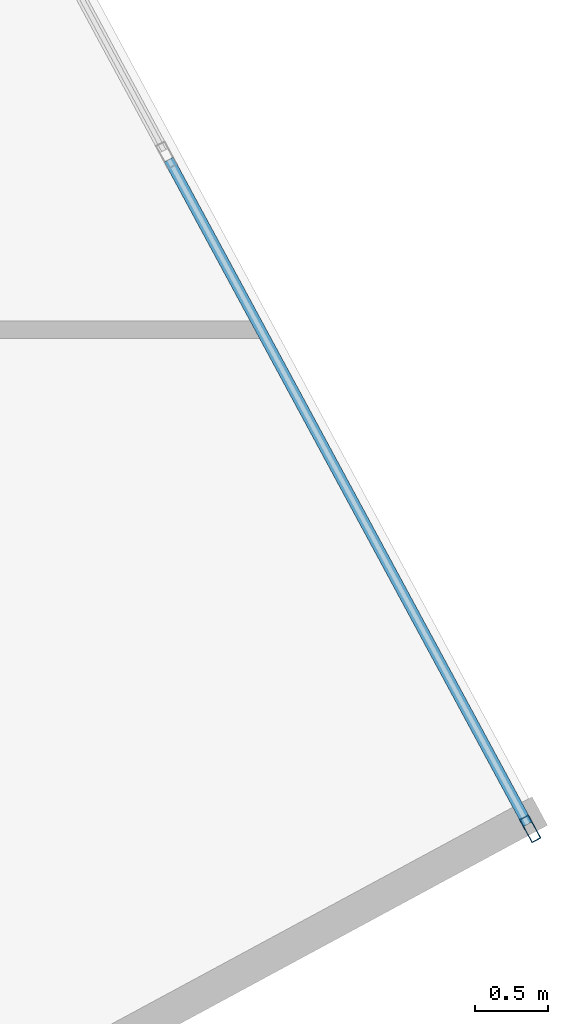
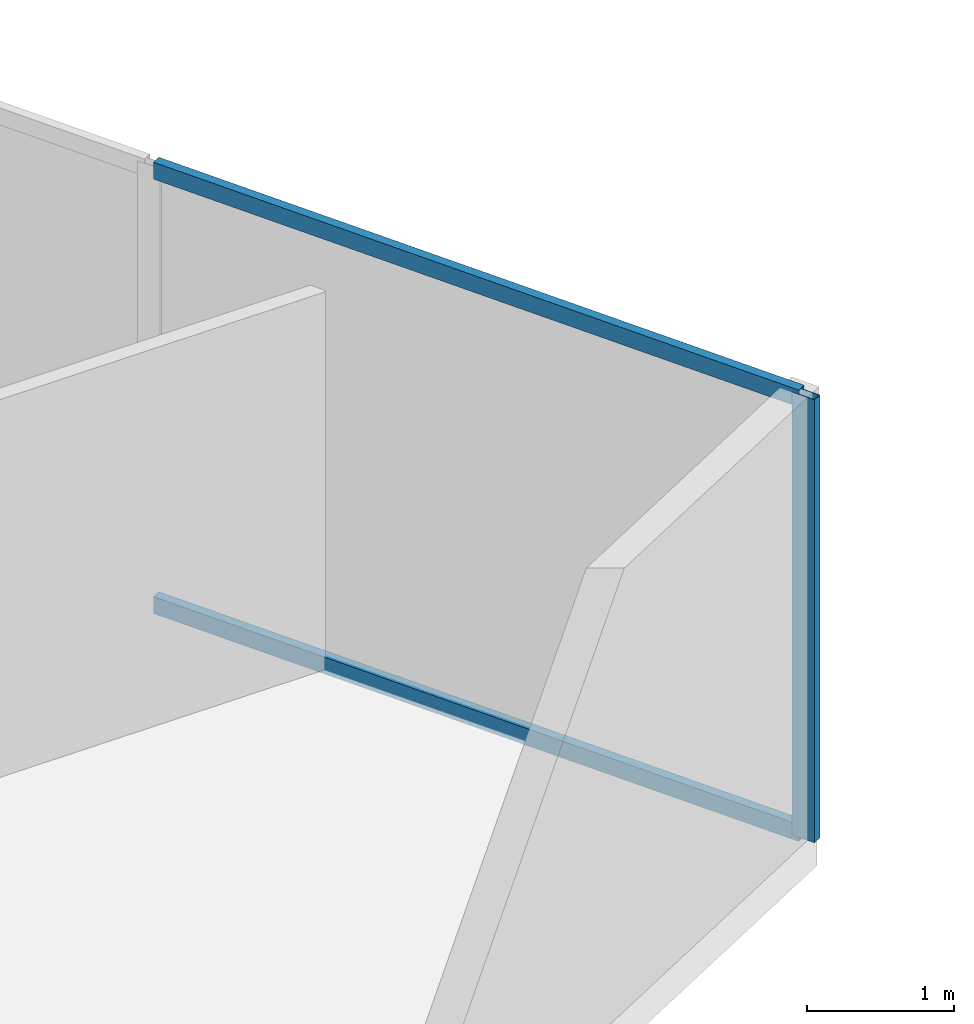
# One storey, part 10 of 22: 3 members, 1 element without a shape of its own.
"""IFC4 building model written with IfcOpenShell, lengths in metres."""

from ifc_helpers import new_model, si_unit, direction, frame, origin, origin_2d, place, context, subcontext, project, spatial, hollow_rectangle, extrude, source, transform, mapped, material, material_profile, profile_set, type_object, type_shapes, element, aggregate, save


model = new_model("IFC4")

# Units and contexts
model_context = context("Model", 3, precision=1e-05, world=origin(), true_north=direction((0.0, 1.0)))
body_context = subcontext(model_context, "Body", "Model", "MODEL_VIEW")
ifc_project = project(units=[si_unit("LENGTHUNIT", "METRE"), si_unit("AREAUNIT", "SQUARE_METRE"), si_unit("VOLUMEUNIT", "CUBIC_METRE"), si_unit("PLANEANGLEUNIT", "RADIAN"), si_unit("MASSUNIT", "GRAM", prefix="KILO")], contexts=[model_context])

# Site, building, storey
site_placement = place(None, origin())
site = spatial("IfcSite", under=ifc_project, at=site_placement, CompositionType="ELEMENT")
building_placement = place(site_placement, origin())
building = spatial("IfcBuilding", under=site, at=building_placement, Name="Krantzveldt Concourse Tower", CompositionType="ELEMENT")
storey_placement = place(building_placement, frame((0.0, 0.0, 302.949951171875)))
storey = spatial("IfcBuildingStorey", under=building, at=storey_placement, Name="L74", CompositionType="ELEMENT", Elevation=302.949951171875)

# Curtain wall, members
ifc_material = material(Name="Anodised aluminium 6063-T6", Category="aluminium")
curtain_wall_type = type_object("IfcCurtainWallType", Name="CW4", PredefinedType="USERDEFINED", material=ifc_material)
curtain_wall_placement = place(storey_placement, origin())
curtain_wall = element("IfcCurtainWall", 1, at=curtain_wall_placement, inside=storey, type_object=curtain_wall_type, Name="CW-L74-F10", ObjectType="UNITISED CURTAIN WALL", PredefinedType="USERDEFINED")
ifc_material_profile_1 = material_profile(ifc_material, hollow_rectangle(XDim=0.070068359375, YDim=0.179931640625, WallThickness=0.0048828125, at=origin_2d()), Name="Anodised aluminium 6063-T6", Category="aluminium")
ifc_profile_set_1 = profile_set([ifc_material_profile_1], Name="Anodised aluminium 6063-T6 - ALU-MULL 180x70x5")
member_type_1 = type_object("IfcMemberType", Name="CW-MUL-180", PredefinedType="MULLION", material=ifc_profile_set_1)
shared_shape_1 = source(origin(), body_context, "Body", "SweptSolid", [
    extrude(hollow_rectangle(XDim=0.070068359375, YDim=0.179931640625, WallThickness=0.0048828125, at=origin_2d()), origin(), (0.0, 0.0, 1.0), 3.670166015625),
])
type_shapes(member_type_1, [shared_shape_1])
member_1_placement = place(storey_placement, frame((59.9453125, 23.4208984375, 0.0), z_axis=(0.0, 0.0, 1.0), x_axis=(-0.879856202129, -0.475240006286, 0.0)))
member_1 = element("IfcMember", 2, at=member_1_placement, type_object=member_type_1, Name="CW-Z56 mullion 1", PredefinedType="MULLION", context=body_context, shape_type="MappedRepresentation", body=[
    mapped(shared_shape_1, transform((0.0, 0.0, 0.0), x_axis=(1.0, 0.0, 0.0), y_axis=(0.0, 1.0, 0.0), z_axis=(0.0, 0.0, 1.0), scale=1.0)),
])
ifc_material_profile_2 = material_profile(ifc_material, hollow_rectangle(XDim=0.070068359375, YDim=0.139892578125, WallThickness=0.0048828125, at=origin_2d()), Name="Anodised aluminium 6063-T6", Category="aluminium")
ifc_profile_set_2 = profile_set([ifc_material_profile_2], Name="Anodised aluminium 6063-T6 - ALU-TRAN 140x70x5")
member_type_2 = type_object("IfcMemberType", Name="CW-TRN-150", PredefinedType="USERDEFINED", material=ifc_profile_set_2)
shared_shape_2 = source(origin(), body_context, "Body", "SweptSolid", [
    extrude(hollow_rectangle(XDim=0.070068359375, YDim=0.139892578125, WallThickness=0.0048828125, at=origin_2d()), origin(), (0.0, 0.0, 1.0), 5.14501953125),
])
type_shapes(member_type_2, [shared_shape_2])
member_2_placement = place(storey_placement, frame((59.9287109375, 23.45166015625, 0.03515625), z_axis=(-0.475234147244, 0.87985936677, 0.0), x_axis=(-0.87985936677, -0.475234147244, 0.0)))
member_2 = element("IfcMember", 3, at=member_2_placement, type_object=member_type_2, Name="CW-Z56 transom 1.1", ObjectType="TRANSOM", PredefinedType="USERDEFINED", context=body_context, shape_type="MappedRepresentation", body=[
    mapped(shared_shape_2, transform((0.0, 0.0, 0.0), x_axis=(1.0, 0.0, 0.0), y_axis=(0.0, 1.0, 0.0), z_axis=(0.0, 0.0, 1.0), scale=1.0)),
])
member_3_placement = place(storey_placement, frame((59.9287109375, 23.45166015625, 3.635009765625), z_axis=(-0.475234147244, 0.87985936677, 0.0), x_axis=(-0.87985936677, -0.475234147244, 0.0)))
member_3 = element("IfcMember", 4, at=member_3_placement, type_object=member_type_2, Name="CW-Z56 transom 1.2", ObjectType="TRANSOM", PredefinedType="USERDEFINED", context=body_context, shape_type="MappedRepresentation", body=[
    mapped(shared_shape_2, transform((0.0, 0.0, 0.0), x_axis=(1.0, 0.0, 0.0), y_axis=(0.0, 1.0, 0.0), z_axis=(0.0, 0.0, 1.0), scale=1.0)),
])
aggregate(curtain_wall, [member_1, member_2, member_3])

save(model, "model.ifc")
